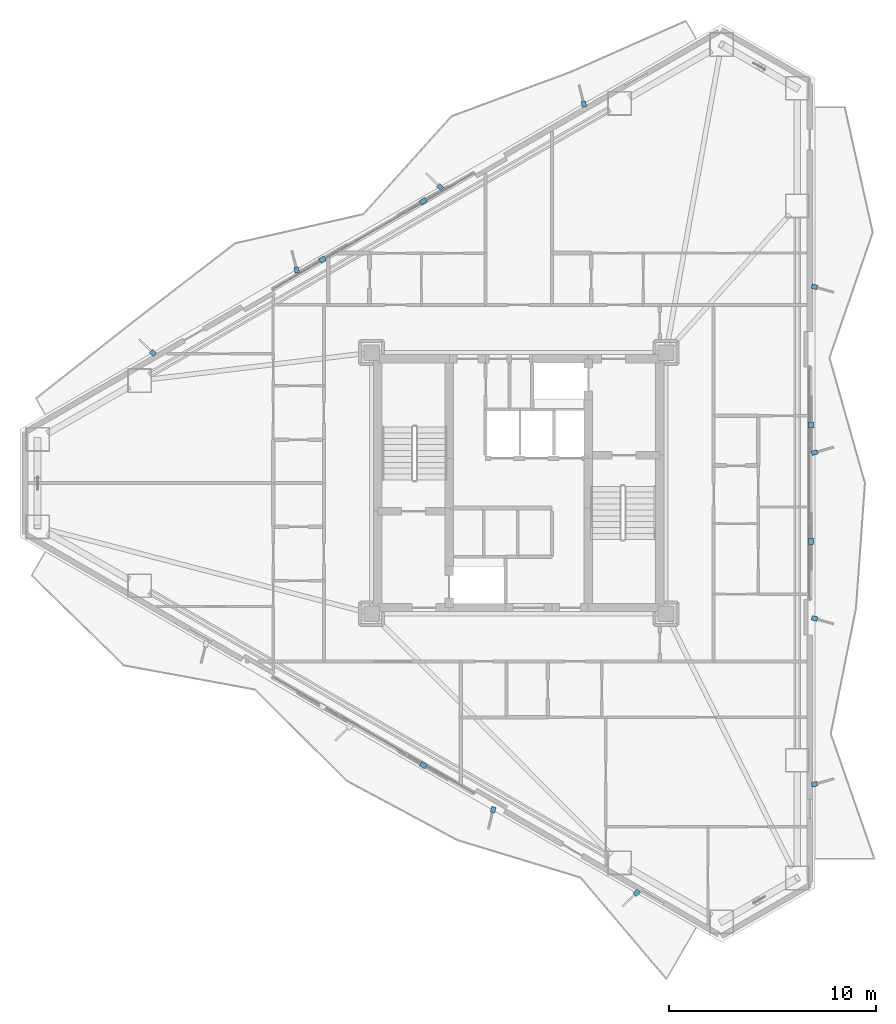
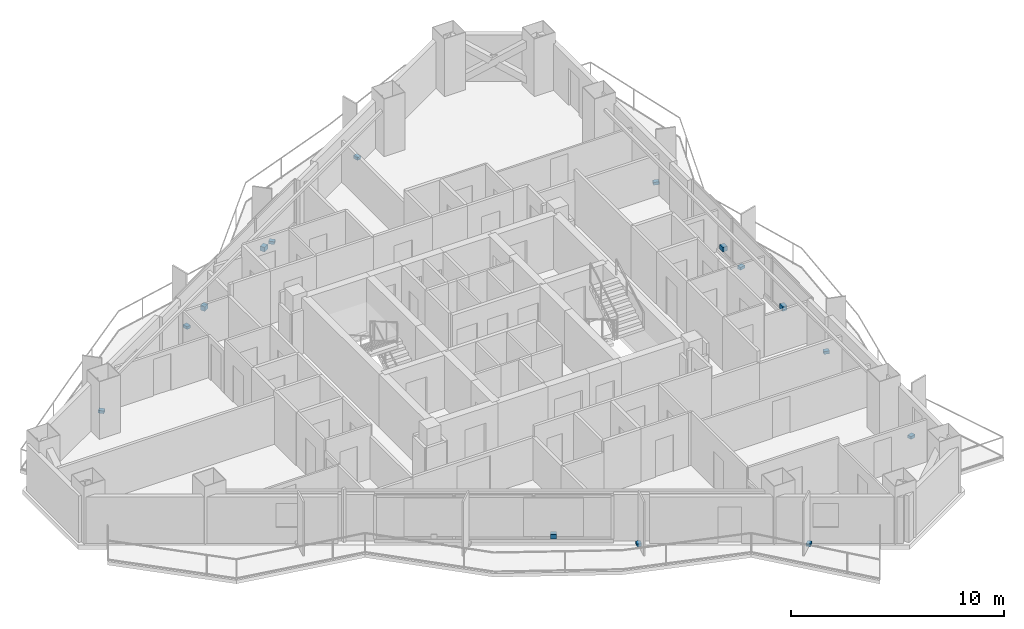
# One storey, part 21 of 23: 15 discrete accessories.
"""IFC4 building model written with IfcOpenShell, lengths in metres."""

from ifc_helpers import new_model, si_unit, direction, frame, origin, origin_2d, place, context, subcontext, project, spatial, rectangle, extrude, material, layer, layer_set, type_object, element, save


model = new_model("IFC4")

# Units and contexts
model_context = context("Model", 3, precision=1e-05, world=origin(), true_north=direction((0.0, 1.0)))
body_context = subcontext(model_context, "Body", "Model", "MODEL_VIEW")
ifc_project = project(units=[si_unit("LENGTHUNIT", "METRE"), si_unit("AREAUNIT", "SQUARE_METRE"), si_unit("VOLUMEUNIT", "CUBIC_METRE"), si_unit("PLANEANGLEUNIT", "RADIAN"), si_unit("MASSUNIT", "GRAM", prefix="KILO")], contexts=[model_context])

# Site, building, storey
site_placement = place(None, origin())
site = spatial("IfcSite", under=ifc_project, at=site_placement, CompositionType="ELEMENT")
building_placement = place(site_placement, origin())
building = spatial("IfcBuilding", under=site, at=building_placement, Name="Mersakhor Tower and Convention Hall", CompositionType="ELEMENT")
storey_placement = place(building_placement, frame((0.0, 0.0, 106.5)))
storey = spatial("IfcBuildingStorey", under=building, at=storey_placement, Name="L29", CompositionType="ELEMENT", Elevation=106.5)

# Discrete accessories
ifc_material = material(Name="Galvanised steel bracket", Category="steel")
ifc_layer = layer(ifc_material, 0.02001953125)
ifc_layer_set = layer_set([ifc_layer], Name="Galvanised steel bracket")
discrete_accessory_type = type_object("IfcDiscreteAccessoryType", Name="ACC-BRK-STL", PredefinedType="BRACKET", material=ifc_layer_set)
for number, where, z_axis, x_axis, name in (
    (1, (19.5263671875, 37.5439453125, 0.2900390625), (0.0, 0.0, 1.0), (0.866025403784, 0.5, 0.0), "L29 Solar Screen Outrigger Bracket BRK-1-1"),
    (2, (24.388916015625, 40.351318359375, 0.2900390625), (0.0, 0.0, 1.0), (0.866025403784, 0.5, 0.0), "L29 Solar Screen Outrigger Bracket BRK-1-2"),
):
    element("IfcDiscreteAccessory", number, at=place(storey_placement, frame(where, z_axis=z_axis, x_axis=x_axis)), inside=storey, type_object=discrete_accessory_type, Name=name, PredefinedType="BRACKET", context=body_context, shape_type="SweptSolid", body=[
        extrude(rectangle(XDim=0.300048828125, YDim=0.239990234375, at=origin_2d()), origin(), (0.0, 0.0, 1.0), 0.260009765625),
    ])
for number, where, z_axis, x_axis, name in (
    (3, (11.355224609375, 33.0341796875, -0.02001953125), (0.0, 0.0, 1.0), (-0.719339800339, 0.694658370459, 0.0), "L29 Facade Fin Base Cleat Bracket FBRK-1-1"),
    (4, (18.283447265625, 37.0341796875, -0.02001953125), (0.0, 0.0, 1.0), (-0.2419218956, 0.970295726276, 0.0), "L29 Facade Fin Base Cleat Bracket FBRK-1-2"),
    (5, (25.211669921875, 41.0341796875, -0.02001953125), (0.0, 0.0, 1.0), (-0.719339800339, 0.694658370459, 0.0), "L29 Facade Fin Base Cleat Bracket FBRK-1-3"),
    (6, (32.139892578125, 45.0341796875, -0.02001953125), (0.0, 0.0, 1.0), (-0.2419218956, 0.970295726276, 0.0), "L29 Facade Fin Base Cleat Bracket FBRK-1-4"),
):
    element("IfcDiscreteAccessory", number, at=place(storey_placement, frame(where, z_axis=z_axis, x_axis=x_axis)), inside=storey, type_object=discrete_accessory_type, Name=name, PredefinedType="BRACKET", context=body_context, shape_type="SweptSolid", body=[
        extrude(rectangle(XDim=0.280029296875, YDim=0.219970703125, at=origin_2d()), origin(), (0.0, 0.0, 1.0), 0.159912109375),
    ])
for number, where, z_axis, x_axis, name in (
    (7, (43.084716796875, 29.557373046875, 0.2900390625), (0.0, 0.0, 1.0), (0.0, -1.0, 0.0), "L29 Solar Screen Outrigger Bracket BRK-2-1"),
    (8, (43.084716796875, 23.942626953125, 0.2900390625), (0.0, 0.0, 1.0), (0.0, -1.0, 0.0), "L29 Solar Screen Outrigger Bracket BRK-2-2"),
):
    element("IfcDiscreteAccessory", number, at=place(storey_placement, frame(where, z_axis=z_axis, x_axis=x_axis)), inside=storey, type_object=discrete_accessory_type, Name=name, PredefinedType="BRACKET", context=body_context, shape_type="SweptSolid", body=[
        extrude(rectangle(XDim=0.300048828125, YDim=0.239990234375, at=origin_2d()), origin(), (0.0, 0.0, 1.0), 0.260009765625),
    ])
for number, where, z_axis, x_axis, name in (
    (9, (43.2646484375, 36.221923828125, -0.02001953125), (0.0, 0.0, 1.0), (0.961261695938, -0.275637355817, 0.0), "L29 Facade Fin Base Cleat Bracket FBRK-2-1"),
    (10, (43.2646484375, 28.221923828125, -0.02001953125), (0.0, 0.0, 1.0), (0.961261695938, 0.275637355817, 0.0), "L29 Facade Fin Base Cleat Bracket FBRK-2-2"),
    (11, (43.2646484375, 20.221923828125, -0.02001953125), (0.0, 0.0, 1.0), (0.961261695938, -0.275637355817, 0.0), "L29 Facade Fin Base Cleat Bracket FBRK-2-3"),
    (12, (43.2646484375, 12.221923828125, -0.02001953125), (0.0, 0.0, 1.0), (0.961261695938, 0.275637355817, 0.0), "L29 Facade Fin Base Cleat Bracket FBRK-2-4"),
):
    element("IfcDiscreteAccessory", number, at=place(storey_placement, frame(where, z_axis=z_axis, x_axis=x_axis)), inside=storey, type_object=discrete_accessory_type, Name=name, PredefinedType="BRACKET", context=body_context, shape_type="SweptSolid", body=[
        extrude(rectangle(XDim=0.280029296875, YDim=0.219970703125, at=origin_2d()), origin(), (0.0, 0.0, 1.0), 0.159912109375),
    ])
discrete_accessory_placement = place(storey_placement, frame((24.388916015625, 13.148681640625, 0.2900390625), z_axis=(0.0, 0.0, 1.0), x_axis=(-0.866025403784, 0.5, 0.0)))
element("IfcDiscreteAccessory", 13, at=discrete_accessory_placement, inside=storey, type_object=discrete_accessory_type, Name="L29 Solar Screen Outrigger Bracket BRK-3-1", PredefinedType="BRACKET", context=body_context, shape_type="SweptSolid", body=[
    extrude(rectangle(XDim=0.300048828125, YDim=0.239990234375, at=origin_2d()), origin(), (0.0, 0.0, 1.0), 0.260009765625),
])
for number, where, z_axis, x_axis, name in (
    (14, (34.689453125, 6.993896484375, -0.02001953125), (0.0, 0.0, 1.0), (-0.719339800339, -0.694658370459, 0.0), "L29 Facade Fin Base Cleat Bracket FBRK-3-1"),
    (15, (27.76123046875, 10.993896484375, -0.02001953125), (0.0, 0.0, 1.0), (-0.2419218956, -0.970295726276, 0.0), "L29 Facade Fin Base Cleat Bracket FBRK-3-2"),
):
    element("IfcDiscreteAccessory", number, at=place(storey_placement, frame(where, z_axis=z_axis, x_axis=x_axis)), inside=storey, type_object=discrete_accessory_type, Name=name, PredefinedType="BRACKET", context=body_context, shape_type="SweptSolid", body=[
        extrude(rectangle(XDim=0.280029296875, YDim=0.219970703125, at=origin_2d()), origin(), (0.0, 0.0, 1.0), 0.159912109375),
    ])

save(model, "model.ifc")
